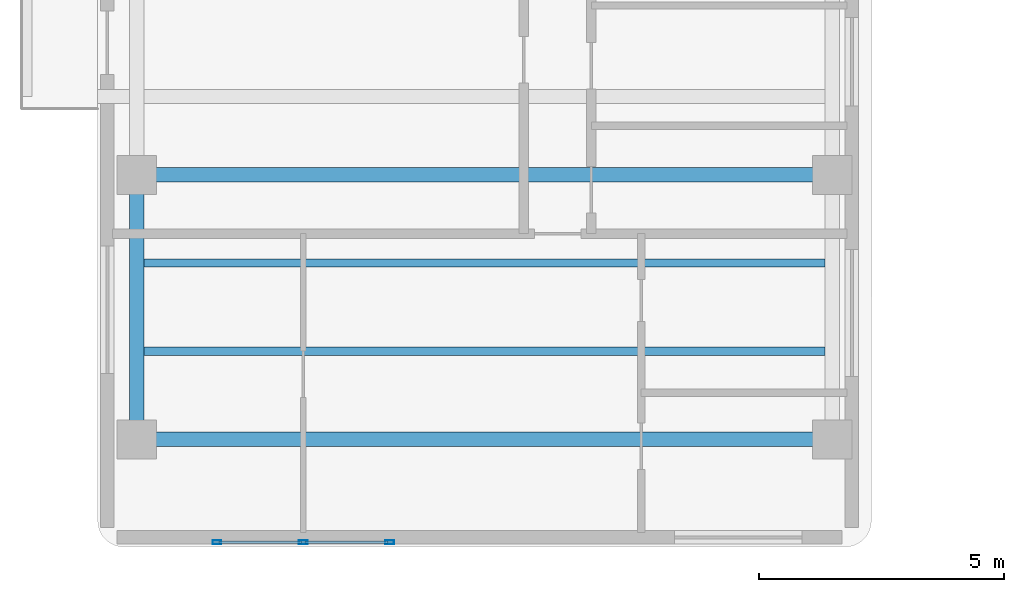
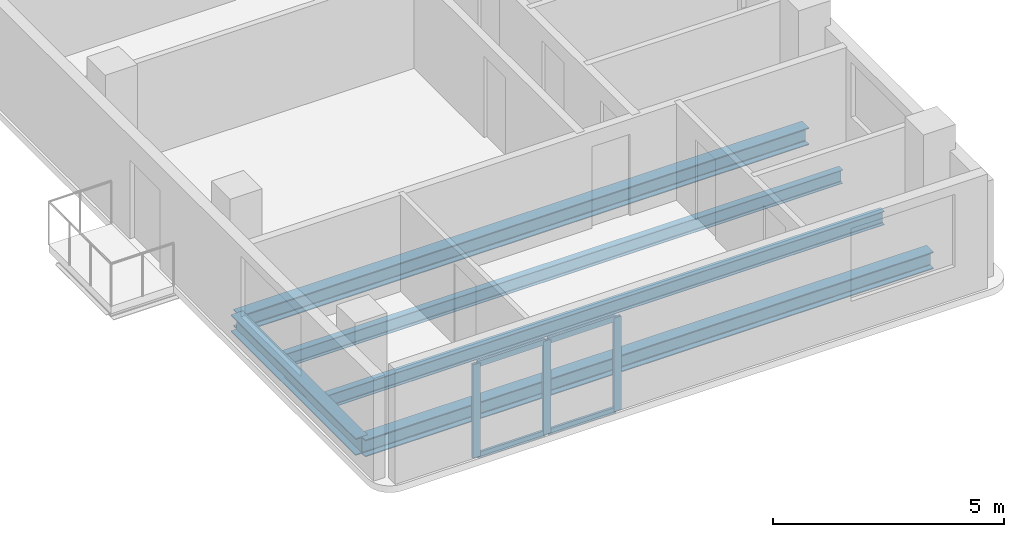
# One storey, part 2 of 9: 7 members, 5 beams, 1 element without a shape of its own.
"""IFC4 building model written with IfcOpenShell, lengths in metres."""

from ifc_helpers import new_model, si_unit, direction, frame, origin, origin_2d, place, context, subcontext, project, spatial, hollow_rectangle, i_section, extrude, material, material_profile, profile_set, type_object, element, aggregate, save


model = new_model("IFC4")

# Units and contexts
model_context = context("Model", 3, precision=1e-05, world=origin(), true_north=direction((0.0, 1.0)))
body_context = subcontext(model_context, "Body", "Model", "MODEL_VIEW")
ifc_project = project(units=[si_unit("LENGTHUNIT", "METRE"), si_unit("AREAUNIT", "SQUARE_METRE"), si_unit("VOLUMEUNIT", "CUBIC_METRE"), si_unit("PLANEANGLEUNIT", "RADIAN"), si_unit("MASSUNIT", "GRAM", prefix="KILO")], contexts=[model_context])

# Site, building, storey
site_placement = place(None, origin())
site = spatial("IfcSite", under=ifc_project, at=site_placement, CompositionType="ELEMENT")
building_placement = place(site_placement, origin())
building = spatial("IfcBuilding", under=site, at=building_placement, Name="Kuzgunbayir Cultural Tower", CompositionType="ELEMENT")
storey_placement = place(building_placement, frame((0.0, 0.0, 240.800048828125)))
storey = spatial("IfcBuildingStorey", under=building, at=storey_placement, Name="L71", CompositionType="ELEMENT", Elevation=240.800048828125)

# Beams
ifc_material_1 = material(Name="Steel S355J2", Category="steel")
ifc_material_profile_1 = material_profile(ifc_material_1, i_section(OverallWidth=0.300048828125, OverallDepth=0.449951171875, WebThickness=0.013916015625, FlangeThickness=0.02587890625, FilletRadius=0.027099609375, at=origin_2d()), Name="HEB 450")
ifc_profile_set_1 = profile_set([ifc_material_profile_1], Name="Steel S355J2")
beam_type_1 = type_object("IfcBeamType", Name="BM-EXT-HEB450", PredefinedType="BEAM", material=ifc_profile_set_1)
beam_placement = place(storey_placement, frame((5.39990234375, 12.60009765625, -0.400146484375), z_axis=(0.0, 1.0, 0.0), x_axis=(-1.0, 0.0, 0.0)))
element("IfcBeam", 1, at=beam_placement, inside=storey, type_object=beam_type_1, Name="L71 Wing A West Girder 1", PredefinedType="BEAM", context=body_context, shape_type="SweptSolid", body=[
    extrude(i_section(OverallWidth=0.300048828125, OverallDepth=0.449951171875, WebThickness=0.013916015625, FlangeThickness=0.02587890625, FilletRadius=0.027099609375, at=origin_2d()), origin(), (0.0, 0.0, 1.0), 5.39990234375),
])
ifc_material_profile_2 = material_profile(ifc_material_1, i_section(OverallWidth=0.300048828125, OverallDepth=0.449951171875, WebThickness=0.013916015625, FlangeThickness=0.02587890625, FilletRadius=0.027099609375, at=origin_2d()), Name="HEB 450")
ifc_profile_set_2 = profile_set([ifc_material_profile_2], Name="Steel S355J2")
beam_type_2 = type_object("IfcBeamType", Name="BM-GIR-HEB450", PredefinedType="BEAM", material=ifc_profile_set_2)
for number, where, z_axis, x_axis, name in (
    (2, (5.39990234375, 12.60009765625, -0.400146484375), (1.0, 0.0, 0.0), (0.0, 1.0, 0.0), "L71 Wing A Transverse Girder 1"),
    (3, (5.39990234375, 18.0, -0.400146484375), (1.0, 0.0, 0.0), (0.0, 1.0, 0.0), "L71 Wing A Transverse Girder 2"),
):
    element("IfcBeam", number, at=place(storey_placement, frame(where, z_axis=z_axis, x_axis=x_axis)), inside=storey, type_object=beam_type_2, Name=name, PredefinedType="BEAM", context=body_context, shape_type="SweptSolid", body=[
        extrude(i_section(OverallWidth=0.300048828125, OverallDepth=0.449951171875, WebThickness=0.013916015625, FlangeThickness=0.02587890625, FilletRadius=0.027099609375, at=origin_2d()), origin(), (0.0, 0.0, 1.0), 14.2001953125),
    ])
ifc_material_profile_3 = material_profile(ifc_material_1, i_section(OverallWidth=0.169921875, OverallDepth=0.360107421875, WebThickness=0.008056640625, FlangeThickness=0.0126953125, FilletRadius=0.01806640625, at=origin_2d()), Name="IPE 360")
ifc_profile_set_3 = profile_set([ifc_material_profile_3], Name="Steel S355J2")
beam_type_3 = type_object("IfcBeamType", Name="BM-JST-IPE360", PredefinedType="JOIST", material=ifc_profile_set_3)
for number, where, z_axis, x_axis, name in (
    (4, (5.550048828125, 14.39990234375, -0.360107421875), (1.0, 0.0, 0.0), (0.0, 1.0, 0.0), "L71 Wing A Secondary Joist 1"),
    (5, (5.550048828125, 16.199951171875, -0.360107421875), (1.0, 0.0, 0.0), (0.0, 1.0, 0.0), "L71 Wing A Secondary Joist 2"),
):
    element("IfcBeam", number, at=place(storey_placement, frame(where, z_axis=z_axis, x_axis=x_axis)), inside=storey, type_object=beam_type_3, Name=name, PredefinedType="JOIST", context=body_context, shape_type="SweptSolid", body=[
        extrude(i_section(OverallWidth=0.169921875, OverallDepth=0.360107421875, WebThickness=0.008056640625, FlangeThickness=0.0126953125, FilletRadius=0.01806640625, at=origin_2d()), origin(), (0.0, 0.0, 1.0), 13.89990234375),
    ])

# Curtain wall, members
ifc_material_2 = material(Name="Anodised Aluminium Framing", Category="aluminium")
curtain_wall_type = type_object("IfcCurtainWallType", Name="CW06-OBSERVATORY", PredefinedType="NOTDEFINED", material=ifc_material_2)
curtain_wall_placement = place(storey_placement, origin())
curtain_wall = element("IfcCurtainWall", 6, at=curtain_wall_placement, inside=storey, type_object=curtain_wall_type, Name="L71 Crown Observatory South Curtain Wall", PredefinedType="NOTDEFINED")
ifc_material_profile_4 = material_profile(ifc_material_2, hollow_rectangle(XDim=0.074951171875, YDim=0.179931640625, WallThickness=0.0048828125, at=origin_2d()), Name="RHS 180x75x5")
ifc_profile_set_4 = profile_set([ifc_material_profile_4], Name="Anodised Aluminium Framing")
member_type_1 = type_object("IfcMemberType", Name="MEM-CW-MULLION-180", PredefinedType="MULLION", material=ifc_profile_set_4)
member_1_placement = place(storey_placement, frame((7.03759765625, 10.5, 0.0), z_axis=(0.0, 0.0, 1.0), x_axis=(0.0, 1.0, 0.0)))
member_1 = element("IfcMember", 7, at=member_1_placement, type_object=member_type_1, Name="CW06 mullion 1", PredefinedType="MULLION", context=body_context, shape_type="SweptSolid", body=[
    extrude(hollow_rectangle(XDim=0.074951171875, YDim=0.179931640625, WallThickness=0.0048828125, at=origin_2d()), origin(), (0.0, 0.0, 1.0), 2.469970703125),
])
member_2_placement = place(storey_placement, frame((8.800048828125, 10.5, 0.0), z_axis=(0.0, 0.0, 1.0), x_axis=(0.0, 1.0, 0.0)))
member_2 = element("IfcMember", 8, at=member_2_placement, type_object=member_type_1, Name="CW06 mullion 2", PredefinedType="MULLION", context=body_context, shape_type="SweptSolid", body=[
    extrude(hollow_rectangle(XDim=0.074951171875, YDim=0.179931640625, WallThickness=0.0048828125, at=origin_2d()), origin(), (0.0, 0.0, 1.0), 2.469970703125),
])
member_3_placement = place(storey_placement, frame((10.5625, 10.5, 0.0), z_axis=(0.0, 0.0, 1.0), x_axis=(0.0, 1.0, 0.0)))
member_3 = element("IfcMember", 9, at=member_3_placement, type_object=member_type_1, Name="CW06 mullion 3", PredefinedType="MULLION", context=body_context, shape_type="SweptSolid", body=[
    extrude(hollow_rectangle(XDim=0.074951171875, YDim=0.179931640625, WallThickness=0.0048828125, at=origin_2d()), origin(), (0.0, 0.0, 1.0), 2.469970703125),
])
ifc_material_profile_5 = material_profile(ifc_material_2, hollow_rectangle(XDim=0.06005859375, YDim=0.14990234375, WallThickness=0.00390625, at=origin_2d()), Name="RHS 150x60x4")
ifc_profile_set_5 = profile_set([ifc_material_profile_5], Name="Anodised Aluminium Framing")
member_type_2 = type_object("IfcMemberType", Name="MEM-CW-TRANSOM-150", PredefinedType="USERDEFINED", material=ifc_profile_set_5)
member_4_placement = place(storey_placement, frame((7.074951171875, 10.5, 0.030029296875), z_axis=(1.0, 0.0, 0.0), x_axis=(0.0, 1.0, 0.0)))
member_4 = element("IfcMember", 10, at=member_4_placement, type_object=member_type_2, Name="CW06 transom 1.1", ObjectType="TRANSOM", PredefinedType="USERDEFINED", context=body_context, shape_type="SweptSolid", body=[
    extrude(hollow_rectangle(XDim=0.06005859375, YDim=0.14990234375, WallThickness=0.00390625, at=origin_2d()), origin(), (0.0, 0.0, 1.0), 1.6875),
])
member_5_placement = place(storey_placement, frame((7.074951171875, 10.5, 2.43994140625), z_axis=(1.0, 0.0, 0.0), x_axis=(0.0, 1.0, 0.0)))
member_5 = element("IfcMember", 11, at=member_5_placement, type_object=member_type_2, Name="CW06 transom 1.2", ObjectType="TRANSOM", PredefinedType="USERDEFINED", context=body_context, shape_type="SweptSolid", body=[
    extrude(hollow_rectangle(XDim=0.06005859375, YDim=0.14990234375, WallThickness=0.00390625, at=origin_2d()), origin(), (0.0, 0.0, 1.0), 1.6875),
])
member_6_placement = place(storey_placement, frame((8.83740234375, 10.5, 0.030029296875), z_axis=(1.0, 0.0, 0.0), x_axis=(0.0, 1.0, 0.0)))
member_6 = element("IfcMember", 12, at=member_6_placement, type_object=member_type_2, Name="CW06 transom 2.1", ObjectType="TRANSOM", PredefinedType="USERDEFINED", context=body_context, shape_type="SweptSolid", body=[
    extrude(hollow_rectangle(XDim=0.06005859375, YDim=0.14990234375, WallThickness=0.00390625, at=origin_2d()), origin(), (0.0, 0.0, 1.0), 1.6875),
])
member_7_placement = place(storey_placement, frame((8.83740234375, 10.5, 2.43994140625), z_axis=(1.0, 0.0, 0.0), x_axis=(0.0, 1.0, 0.0)))
member_7 = element("IfcMember", 13, at=member_7_placement, type_object=member_type_2, Name="CW06 transom 2.2", ObjectType="TRANSOM", PredefinedType="USERDEFINED", context=body_context, shape_type="SweptSolid", body=[
    extrude(hollow_rectangle(XDim=0.06005859375, YDim=0.14990234375, WallThickness=0.00390625, at=origin_2d()), origin(), (0.0, 0.0, 1.0), 1.6875),
])
aggregate(curtain_wall, [member_1, member_2, member_3, member_4, member_5, member_6, member_7])

save(model, "model.ifc")
